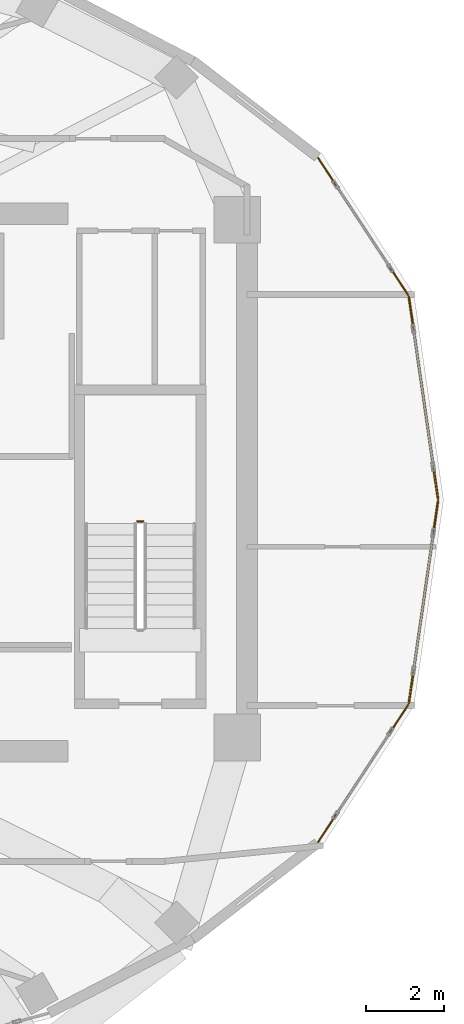
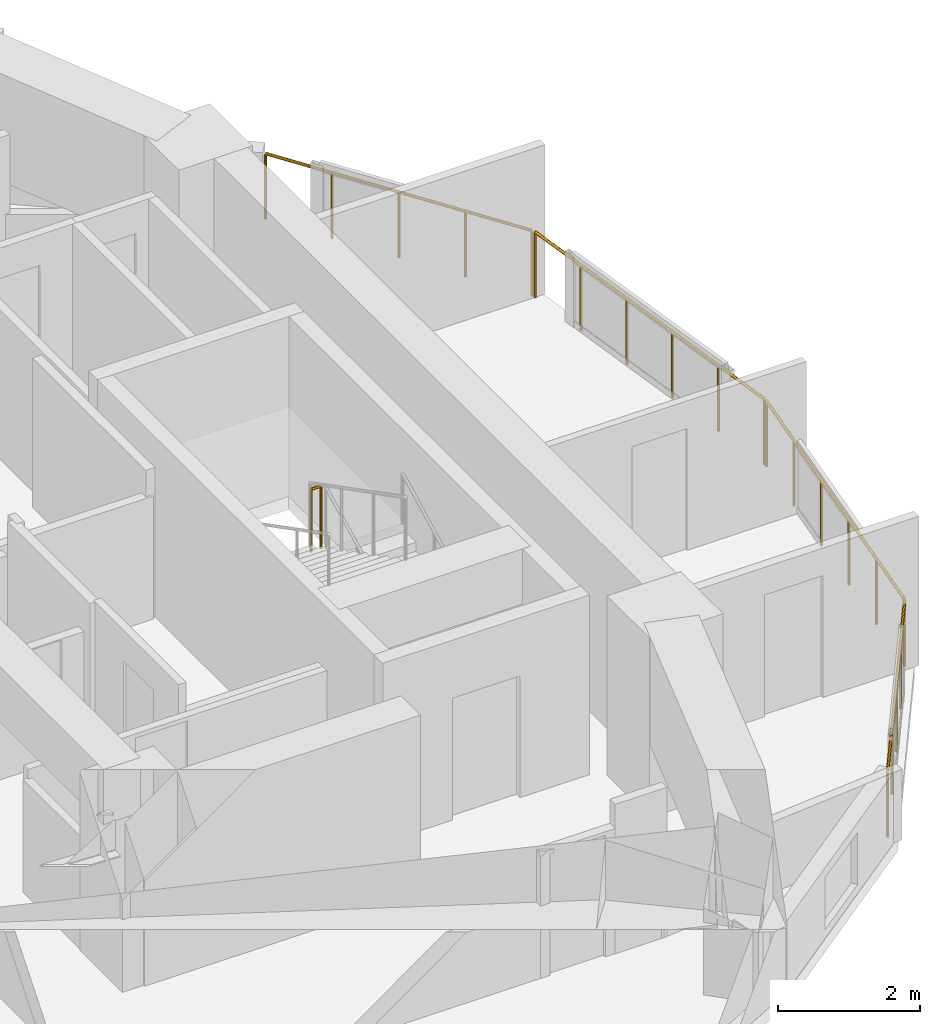
# One storey, part 19 of 19: 5 railings.
"""IFC4 building model written with IfcOpenShell, lengths in metres."""

from ifc_helpers import new_model, si_unit, direction, frame, origin, origin_2d, place, context, subcontext, project, spatial, circle, extrude, material, type_object, element, save


model = new_model("IFC4")

# Units and contexts
model_context = context("Model", 3, precision=1e-05, world=origin(), true_north=direction((0.0, 1.0)))
body_context = subcontext(model_context, "Body", "Model", "MODEL_VIEW")
ifc_project = project(units=[si_unit("LENGTHUNIT", "METRE"), si_unit("AREAUNIT", "SQUARE_METRE"), si_unit("VOLUMEUNIT", "CUBIC_METRE"), si_unit("PLANEANGLEUNIT", "RADIAN"), si_unit("MASSUNIT", "GRAM", prefix="KILO")], contexts=[model_context])

# Site, building, storey
site_placement = place(None, origin())
site = spatial("IfcSite", under=ifc_project, at=site_placement, CompositionType="ELEMENT")
building_placement = place(site_placement, origin())
building = spatial("IfcBuilding", under=site, at=building_placement, Name="Solvane Sanctuary Tower", CompositionType="ELEMENT")
storey_placement = place(building_placement, frame((0.0, 0.0, 207.800048828125)))
storey = spatial("IfcBuildingStorey", under=building, at=storey_placement, Name="L63", CompositionType="ELEMENT", Elevation=207.800048828125)

# Railings
ifc_material = material(Name="Architectural Stainless Steel 316", Category="steel")
railing_type = type_object("IfcRailingType", Name="Railing GR-BALC-1150", PredefinedType="BALUSTRADE", material=ifc_material)
railing_1_placement = place(storey_placement, frame((53.855712890625, 23.02978515625, 0.0)))
element("IfcRailing", 1, at=railing_1_placement, inside=storey, type_object=railing_type, Name="L63 Curtain-Wall Perimeter Sill Guard 00", PredefinedType="BALUSTRADE", context=body_context, shape_type="SweptSolid", body=[
    extrude(circle(Radius=0.02392578125, at=origin_2d()), frame((0.0, 0.0, 1.1259765625), z_axis=(-0.142721073856, 0.989762948931, 0.0), x_axis=(-0.989762948931, -0.142721073856, 0.0)), (0.0, 0.0, 1.0), 5.232666015625),
    extrude(circle(Radius=0.02099609375, at=origin_2d()), origin(), (0.0, 0.0, 1.0), 1.101806640625),
    extrude(circle(Radius=0.02099609375, at=origin_2d()), frame((-0.1494140625, 1.035888671875, 0.0)), (0.0, 0.0, 1.0), 1.101806640625),
    extrude(circle(Radius=0.02099609375, at=origin_2d()), frame((-0.298828125, 2.07177734375, 0.0)), (0.0, 0.0, 1.0), 1.101806640625),
    extrude(circle(Radius=0.02099609375, at=origin_2d()), frame((-0.447998046875, 3.107421875, 0.0)), (0.0, 0.0, 1.0), 1.101806640625),
    extrude(circle(Radius=0.02099609375, at=origin_2d()), frame((-0.597412109375, 4.143310546875, 0.0)), (0.0, 0.0, 1.0), 1.101806640625),
    extrude(circle(Radius=0.02099609375, at=origin_2d()), frame((-0.746826171875, 5.17919921875, 0.0)), (0.0, 0.0, 1.0), 1.101806640625),
])
railing_2_placement = place(storey_placement, frame((53.088134765625, 28.263916015625, 0.0)))
element("IfcRailing", 2, at=railing_2_placement, inside=storey, type_object=railing_type, Name="L63 Curtain-Wall Perimeter Sill Guard 01", PredefinedType="BALUSTRADE", context=body_context, shape_type="SweptSolid", body=[
    extrude(circle(Radius=0.02392578125, at=origin_2d()), frame((0.0, 0.0, 1.1259765625), z_axis=(-0.548785614743, 0.83596312661, 0.0), x_axis=(-0.83596312661, -0.548785614743, 0.0)), (0.0, 0.0, 1.0), 4.210693359375),
    extrude(circle(Radius=0.02099609375, at=origin_2d()), origin(), (0.0, 0.0, 1.0), 1.101806640625),
    extrude(circle(Radius=0.02099609375, at=origin_2d()), frame((-0.57763671875, 0.8798828125, 0.0)), (0.0, 0.0, 1.0), 1.101806640625),
    extrude(circle(Radius=0.02099609375, at=origin_2d()), frame((-1.1552734375, 1.760009765625, 0.0)), (0.0, 0.0, 1.0), 1.101806640625),
    extrude(circle(Radius=0.02099609375, at=origin_2d()), frame((-1.733154296875, 2.64013671875, 0.0)), (0.0, 0.0, 1.0), 1.101806640625),
    extrude(circle(Radius=0.02099609375, at=origin_2d()), frame((-2.310791015625, 3.52001953125, 0.0)), (0.0, 0.0, 1.0), 1.101806640625),
])
railing_3_placement = place(storey_placement, frame((50.77734375, 14.216064453125, 0.0)))
element("IfcRailing", 3, at=railing_3_placement, inside=storey, type_object=railing_type, Name="L63 Curtain-Wall Perimeter Sill Guard 22", PredefinedType="BALUSTRADE", context=body_context, shape_type="SweptSolid", body=[
    extrude(circle(Radius=0.02392578125, at=origin_2d()), frame((0.0, 0.0, 1.1259765625), z_axis=(0.548785614743, 0.83596312661, 0.0), x_axis=(-0.83596312661, 0.548785614743, 0.0)), (0.0, 0.0, 1.0), 4.210693359375),
    extrude(circle(Radius=0.02099609375, at=origin_2d()), origin(), (0.0, 0.0, 1.0), 1.101806640625),
    extrude(circle(Radius=0.02099609375, at=origin_2d()), frame((0.57763671875, 0.8798828125, 0.0)), (0.0, 0.0, 1.0), 1.101806640625),
    extrude(circle(Radius=0.02099609375, at=origin_2d()), frame((1.1552734375, 1.760009765625, 0.0)), (0.0, 0.0, 1.0), 1.101806640625),
    extrude(circle(Radius=0.02099609375, at=origin_2d()), frame((1.733154296875, 2.64013671875, 0.0)), (0.0, 0.0, 1.0), 1.101806640625),
    extrude(circle(Radius=0.02099609375, at=origin_2d()), frame((2.310791015625, 3.52001953125, 0.0)), (0.0, 0.0, 1.0), 1.101806640625),
])
railing_4_placement = place(storey_placement, frame((53.10888671875, 17.791015625, 0.0)))
element("IfcRailing", 4, at=railing_4_placement, inside=storey, type_object=railing_type, Name="L63 Curtain-Wall Perimeter Sill Guard 23", PredefinedType="BALUSTRADE", context=body_context, shape_type="SweptSolid", body=[
    extrude(circle(Radius=0.02392578125, at=origin_2d()), frame((0.0, 0.0, 1.1259765625), z_axis=(0.142721073856, 0.989762948931, 0.0), x_axis=(-0.989762948931, 0.142721073856, 0.0)), (0.0, 0.0, 1.0), 5.232666015625),
    extrude(circle(Radius=0.02099609375, at=origin_2d()), origin(), (0.0, 0.0, 1.0), 1.101806640625),
    extrude(circle(Radius=0.02099609375, at=origin_2d()), frame((0.1494140625, 1.035888671875, 0.0)), (0.0, 0.0, 1.0), 1.101806640625),
    extrude(circle(Radius=0.02099609375, at=origin_2d()), frame((0.298828125, 2.07177734375, 0.0)), (0.0, 0.0, 1.0), 1.101806640625),
    extrude(circle(Radius=0.02099609375, at=origin_2d()), frame((0.447998046875, 3.107421875, 0.0)), (0.0, 0.0, 1.0), 1.101806640625),
    extrude(circle(Radius=0.02099609375, at=origin_2d()), frame((0.597412109375, 4.143310546875, 0.0)), (0.0, 0.0, 1.0), 1.101806640625),
    extrude(circle(Radius=0.02099609375, at=origin_2d()), frame((0.746826171875, 5.17919921875, 0.0)), (0.0, 0.0, 1.0), 1.101806640625),
])
railing_5_placement = place(storey_placement, frame((46.2900390625, 22.449951171875, 1.550048828125)))
element("IfcRailing", 5, at=railing_5_placement, inside=storey, type_object=railing_type, Name="L63 ST-2 stair guard 2", PredefinedType="BALUSTRADE", context=body_context, shape_type="SweptSolid", body=[
    extrude(circle(Radius=0.02392578125, at=origin_2d()), frame((0.0, 0.0, 1.076171875), z_axis=(-1.0, 0.0, 0.0), x_axis=(0.0, -1.0, 0.0)), (0.0, 0.0, 1.0), 0.16015625),
    extrude(circle(Radius=0.02099609375, at=origin_2d()), origin(), (0.0, 0.0, 1.0), 1.052001953125),
    extrude(circle(Radius=0.02099609375, at=origin_2d()), frame((-0.16015625, 0.0, 0.0)), (0.0, 0.0, 1.0), 1.052001953125),
])

save(model, "model.ifc")
